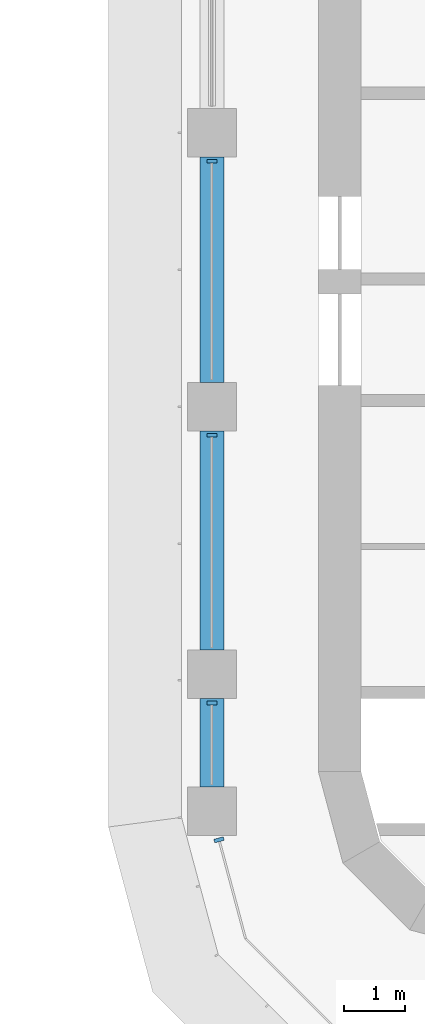
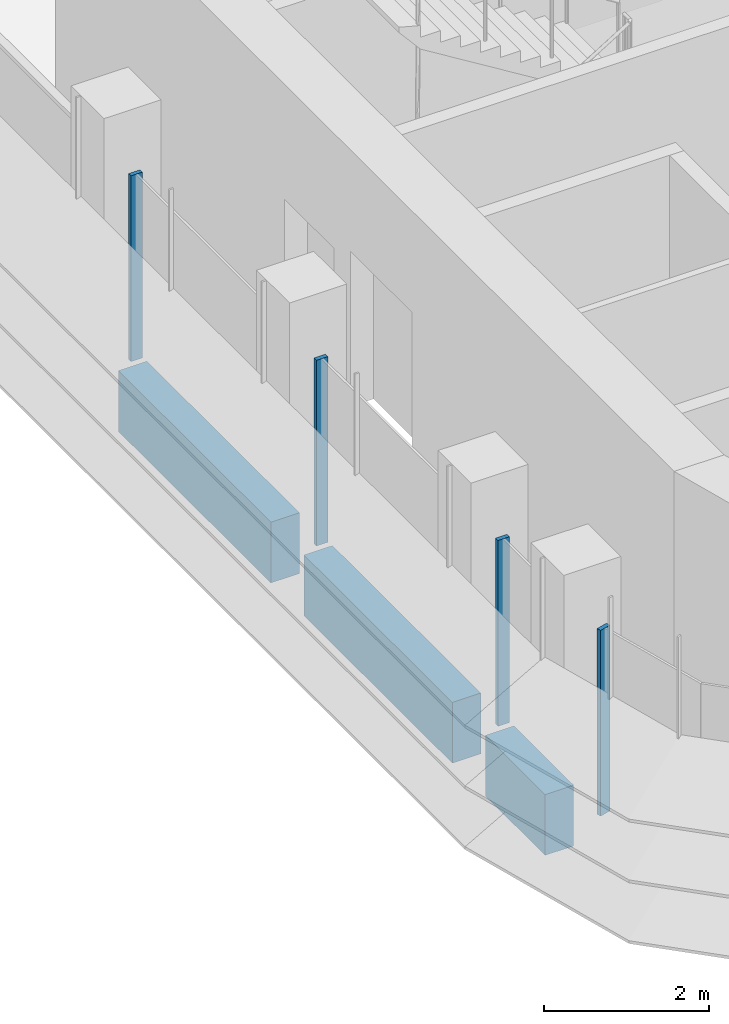
# One storey, part 2 of 19: 4 members, 3 beams, 2 elements without a shape of their own.
"""IFC4 building model written with IfcOpenShell, lengths in metres."""

import ifcopenshell
import ifcopenshell.guid

model = None  # the IFC model being written
_history = None  # IfcOwnerHistory: only IFC2X3 demands one
_inside = {}  # id of a spatial element -> (the spatial element, [elements in it])
_under = {}  # id of a project, library or spatial element -> (it, [spatial elements below it])
_declared = {}  # id of a project -> (the project, [libraries it declares])
_typed = {}  # id of a type object -> (the type object, [elements of that type])
_made_of = {}  # id of a material, layer set ... -> (it, [elements and type objects made of it])


def new_model(schema):
    """Start an empty IFC model of exactly this schema.

    Asked for "IFC4X3", IfcOpenShell would pick the latest addendum, in which some entities
    have other attributes; the version numbers below select the first issue.
    IFC2X3 requires an IfcOwnerHistory on every rooted entity: one is made here for all.
    """
    global model, _history
    if schema == "IFC4X3":
        model = ifcopenshell.file(schema_version=(4, 3, 0, 0))
    else:
        model = ifcopenshell.file(schema=schema)
    _inside.clear()
    _under.clear()
    _declared.clear()
    _typed.clear()
    _made_of.clear()
    _history = None
    if model.schema == "IFC2X3":
        org = make("IfcOrganization", Name="unknown")
        user = make(
            "IfcPersonAndOrganization",
            ThePerson=make("IfcPerson", FamilyName="unknown"),
            TheOrganization=org,
        )
        app = make(
            "IfcApplication",
            ApplicationDeveloper=org,
            Version="unknown",
            ApplicationFullName="unknown",
            ApplicationIdentifier="unknown",
        )
        _history = make(
            "IfcOwnerHistory",
            OwningUser=user,
            OwningApplication=app,
            ChangeAction="ADDED",
            CreationDate=0,
        )
    return model


def make(cls, **values):
    """One entity of the class cls with the attributes given. An attribute that is None is left unset."""
    return model.create_entity(
        cls, **{name: value for name, value in values.items() if value is not None}
    )


def rooted(cls, **values):
    """An entity with a GlobalId (a new one), such as an element, a storey or a relation."""
    return make(cls, GlobalId=ifcopenshell.guid.new(), OwnerHistory=_history, **values)


def si_unit(unit_type, name, prefix=None):
    """IfcSIUnit, for example si_unit("LENGTHUNIT", "METRE", prefix="MILLI")."""
    return make("IfcSIUnit", UnitType=unit_type, Prefix=prefix, Name=name)


def assignment(units):
    """IfcUnitAssignment: the units of a project."""
    return None if units is None else make("IfcUnitAssignment", Units=units)


def point(xyz):
    """IfcCartesianPoint."""
    return None if xyz is None else make("IfcCartesianPoint", Coordinates=xyz)


def direction(xyz):
    """IfcDirection."""
    return None if xyz is None else make("IfcDirection", DirectionRatios=xyz)


def frame(location, z_axis=None, x_axis=None):
    """IfcAxis2Placement3D, a coordinate frame: its origin and axes. An axis left out is left unset."""
    return make(
        "IfcAxis2Placement3D",
        Location=point(location),
        Axis=direction(z_axis),
        RefDirection=direction(x_axis),
    )


def frame_2d(location, x_axis=None):
    """IfcAxis2Placement2D, a coordinate frame in the plane: its origin and x axis."""
    return make(
        "IfcAxis2Placement2D", Location=point(location), RefDirection=direction(x_axis)
    )


def origin():
    """The frame at (0, 0, 0) with its axes left unset."""
    return frame((0.0, 0.0, 0.0))


def origin_2d():
    """The frame at (0, 0) in the plane with its x axis left unset."""
    return frame_2d((0.0, 0.0))


def place(relative_to, where):
    """IfcLocalPlacement: puts the frame where relative to a parent placement (None: the world)."""
    return make(
        "IfcLocalPlacement", PlacementRelTo=relative_to, RelativePlacement=where
    )


def context(
    kind, dimensions, precision=None, world=None, true_north=None, identifier=None
):
    """IfcGeometricRepresentationContext, for example the 3D "Model" context."""
    return make(
        "IfcGeometricRepresentationContext",
        ContextIdentifier=identifier,
        ContextType=kind,
        CoordinateSpaceDimension=dimensions,
        Precision=precision,
        WorldCoordinateSystem=world,
        TrueNorth=true_north,
    )


def subcontext(parent, identifier, kind, view, scale=None):
    """IfcGeometricRepresentationSubContext, for example "Body" below "Model"."""
    return make(
        "IfcGeometricRepresentationSubContext",
        ContextIdentifier=identifier,
        ContextType=kind,
        ParentContext=parent,
        TargetScale=scale,
        TargetView=view,
    )


def project(units=None, contexts=None):
    """IfcProject with its units and contexts."""
    return rooted(
        "IfcProject",
        Name="project",
        RepresentationContexts=contexts,
        UnitsInContext=assignment(units),
    )


def spatial(cls, under=None, at=None, **own):
    """A site, building, storey or space (cls), placed at a placement, below another one or the project."""
    s = rooted(cls, ObjectPlacement=at, **own)
    if under is not None:
        _under.setdefault(under.id(), (under, []))[1].append(s)
    return s


def polyline(points):
    """IfcPolyline through the points."""
    return make("IfcPolyline", Points=[point(p) for p in points])


def profile(cls, at=None, kind="AREA", **sizes):
    """A parametric profile (cls). Its sizes go by their IFC names, for example OverallWidth=200.0."""
    return make(cls, ProfileType=kind, Position=at, **sizes)


def rectangle(**sizes):
    """IfcRectangleProfileDef."""
    return profile("IfcRectangleProfileDef", **sizes)


def outline(outer, holes=None, kind="AREA"):
    """IfcArbitraryClosedProfileDef: a profile drawn as a closed curve; with holes, ...WithVoids."""
    if holes is None:
        return make("IfcArbitraryClosedProfileDef", ProfileType=kind, OuterCurve=outer)
    return make(
        "IfcArbitraryProfileDefWithVoids",
        ProfileType=kind,
        OuterCurve=outer,
        InnerCurves=holes,
    )


def extrude(swept, where, along, depth):
    """IfcExtrudedAreaSolid: the profile swept, set in the frame where, extruded along a direction by depth."""
    return make(
        "IfcExtrudedAreaSolid",
        SweptArea=swept,
        Position=where,
        ExtrudedDirection=direction(along),
        Depth=depth,
    )


def shape(context_of_items, identifier, shape_type, items):
    """IfcShapeRepresentation: the items that make up one representation, for example the "Body"."""
    return make(
        "IfcShapeRepresentation",
        ContextOfItems=context_of_items,
        RepresentationIdentifier=identifier,
        RepresentationType=shape_type,
        Items=items,
    )


def source(mapping_origin, context_of_items, identifier, shape_type, items):
    """IfcRepresentationMap: a shape defined once, which mapped items show again and again."""
    return make(
        "IfcRepresentationMap",
        MappingOrigin=mapping_origin,
        MappedRepresentation=shape(context_of_items, identifier, shape_type, items),
    )


def transform(
    local_origin,
    x_axis=None,
    y_axis=None,
    z_axis=None,
    scale=None,
    scale2=None,
    scale3=None,
    uniform=True,
):
    """IfcCartesianTransformationOperator3D, or its non-uniform kind. x_axis, y_axis, z_axis: its Axis1, 2, 3."""
    if uniform:
        return make(
            "IfcCartesianTransformationOperator3D",
            Axis1=direction(x_axis),
            Axis2=direction(y_axis),
            LocalOrigin=point(local_origin),
            Scale=scale,
            Axis3=direction(z_axis),
        )
    return make(
        "IfcCartesianTransformationOperator3DnonUniform",
        Axis1=direction(x_axis),
        Axis2=direction(y_axis),
        LocalOrigin=point(local_origin),
        Scale=scale,
        Axis3=direction(z_axis),
        Scale2=scale2,
        Scale3=scale3,
    )


def mapped(mapping_source, mapping_target):
    """IfcMappedItem: shows the shape of a source again, moved by a transform."""
    return make(
        "IfcMappedItem", MappingSource=mapping_source, MappingTarget=mapping_target
    )


def material(Name=None, Category=None):
    """IfcMaterial."""
    return make("IfcMaterial", Name=Name, Category=Category)


def material_profile(
    of_material, cross_section, Name=None, Category=None, Priority=None
):
    """IfcMaterialProfile: a cross section and its material."""
    return make(
        "IfcMaterialProfile",
        Name=Name,
        Material=of_material,
        Profile=cross_section,
        Priority=Priority,
        Category=Category,
    )


def profile_set(profiles, Name=None, composite=None):
    """IfcMaterialProfileSet."""
    return make(
        "IfcMaterialProfileSet",
        Name=Name,
        MaterialProfiles=profiles,
        CompositeProfile=composite,
    )


def made_of(thing, what):
    """Note that an element or type object is made of a material, layer set ...; save() writes the relation."""
    if what is not None:
        _made_of.setdefault(what.id(), (what, []))[1].append(thing)
    return thing


def type_object(cls, material=None, **own):
    """A type object (cls), such as IfcWallType, which elements share."""
    return made_of(rooted(cls, **own), material)


def element(
    cls,
    number,
    at=None,
    inside=None,
    cuts=None,
    type_object=None,
    material=None,
    context=None,
    identifier="Body",
    shape_type=None,
    held_by="IfcProductDefinitionShape",
    body=None,
    shapes=None,
    **own,
):
    """One element of the class cls, such as IfcWall. Its Tag is "e" and its number.

    at: its placement. inside: the storey or other place that contains it. cuts: it is an
    opening in that element (IfcRelVoidsElement). A single representation is given by context,
    identifier, shape_type and body (its items); several are given by shapes. held_by: the class
    of the entity that holds the representations. save() writes the other relations.
    """
    e = rooted(cls, Tag="e%d" % number, ObjectPlacement=at, **own)
    if body is not None:
        shapes = [shape(context, identifier, shape_type, body)]
    if shapes is not None:
        e.Representation = make(held_by, Representations=shapes)
    if inside is not None:
        _inside.setdefault(inside.id(), (inside, []))[1].append(e)
    if cuts is not None:
        rooted(
            "IfcRelVoidsElement", RelatingBuildingElement=cuts, RelatedOpeningElement=e
        )
    if type_object is not None:
        _typed.setdefault(type_object.id(), (type_object, []))[1].append(e)
    return made_of(e, material)


def aggregate(whole, parts):
    """IfcRelAggregates: a whole, such as a stair, and the parts it consists of."""
    return rooted("IfcRelAggregates", RelatingObject=whole, RelatedObjects=parts)


def save(model, path):
    """Write the relations noted so far, then the file.

    IfcRelAggregates (storeys below a building ...), IfcRelContainedInSpatialStructure (elements
    in a storey), IfcRelDefinesByType, IfcRelAssociatesMaterial and IfcRelDeclares: one each for
    every whole, place, type object, material and project.
    """
    for whole, parts in _under.values():
        aggregate(whole, parts)
    for where, things in _inside.values():
        rooted(
            "IfcRelContainedInSpatialStructure",
            RelatedElements=things,
            RelatingStructure=where,
        )
    for kind, things in _typed.values():
        rooted("IfcRelDefinesByType", RelatedObjects=things, RelatingType=kind)
    for what, things in _made_of.values():
        rooted("IfcRelAssociatesMaterial", RelatedObjects=things, RelatingMaterial=what)
    for by, libraries in _declared.values():
        rooted("IfcRelDeclares", RelatingContext=by, RelatedDefinitions=libraries)
    model.write(path)


model = new_model("IFC4")

# Units and contexts
model_context = context("Model", 3, precision=1e-05, world=origin(), true_north=direction((0.0, 1.0)))
body_context = subcontext(model_context, "Body", "Model", "MODEL_VIEW")
ifc_project = project(units=[si_unit("LENGTHUNIT", "METRE"), si_unit("AREAUNIT", "SQUARE_METRE"), si_unit("VOLUMEUNIT", "CUBIC_METRE"), si_unit("PLANEANGLEUNIT", "RADIAN"), si_unit("MASSUNIT", "GRAM", prefix="KILO")], contexts=[model_context])

# Site, building, storey
site_placement = place(None, origin())
site = spatial("IfcSite", under=ifc_project, at=site_placement, CompositionType="ELEMENT")
building_placement = place(site_placement, origin())
building = spatial("IfcBuilding", under=site, at=building_placement, Name="Zarbagh Exchange Tower", CompositionType="ELEMENT")
storey_placement = place(building_placement, frame((0.0, 0.0, 160.0)))
storey = spatial("IfcBuildingStorey", under=building, at=storey_placement, Name="L38", CompositionType="ELEMENT", Elevation=160.0)

# Beams
ifc_material_1 = material(Name="Concrete C50/60", Category="concrete")
ifc_material_profile = material_profile(ifc_material_1, rectangle(XDim=0.39990234375, YDim=0.89990234375, at=origin_2d()), Name="RC spandrel beam 400 x 900 C50/60")
ifc_profile_set = profile_set([ifc_material_profile], Name="Concrete C50/60")
beam_type = type_object("IfcBeamType", Name="RC spandrel beam 400 x 900 C50/60", PredefinedType="SPANDREL", material=ifc_profile_set)
beam_1_placement = place(storey_placement, frame((-6.25, -26.5, -0.60009765625), z_axis=(0.0, 1.0, 0.0), x_axis=(-1.0, 0.0, 0.0)))
element("IfcBeam", 1, at=beam_1_placement, inside=storey, type_object=beam_type, Name="RC spandrel beam", PredefinedType="SPANDREL", context=body_context, shape_type="SweptSolid", body=[
    extrude(rectangle(XDim=0.39990234375, YDim=0.89990234375, at=origin_2d()), origin(), (0.0, 0.0, 1.0), 1.449951171875),
])
beam_2_placement = place(storey_placement, frame((-6.25, -24.25, -0.60009765625), z_axis=(0.0, 1.0, 0.0), x_axis=(-1.0, 0.0, 0.0)))
element("IfcBeam", 2, at=beam_2_placement, inside=storey, type_object=beam_type, Name="RC spandrel beam", PredefinedType="SPANDREL", context=body_context, shape_type="SweptSolid", body=[
    extrude(rectangle(XDim=0.39990234375, YDim=0.89990234375, at=origin_2d()), origin(), (0.0, 0.0, 1.0), 3.60009765625),
])
beam_3_placement = place(storey_placement, frame((-6.25, -19.85009765625, -0.60009765625), z_axis=(0.0, 1.0, 0.0), x_axis=(-1.0, 0.0, 0.0)))
element("IfcBeam", 3, at=beam_3_placement, inside=storey, type_object=beam_type, Name="RC spandrel beam", PredefinedType="SPANDREL", context=body_context, shape_type="SweptSolid", body=[
    extrude(rectangle(XDim=0.39990234375, YDim=0.89990234375, at=origin_2d()), origin(), (0.0, 0.0, 1.0), 3.7001953125),
])

# Curtain wall, members
ifc_material_2 = material(Name="Anodised aluminium frame and glazing", Category="aluminium")
curtain_wall_type = type_object("IfcCurtainWallType", Name="CWB Ribbon glazing, upper zones", PredefinedType="NOTDEFINED", material=ifc_material_2)
curtain_wall_1_placement = place(storey_placement, origin())
curtain_wall_1 = element("IfcCurtainWall", 4, at=curtain_wall_1_placement, inside=storey, type_object=curtain_wall_type, Name="CWB53 curtain wall", PredefinedType="NOTDEFINED")
ifc_material_3 = material(Name="Anodised aluminium frame", Category="aluminium")
member_type = type_object("IfcMemberType", Name="MUB Mullion, anodised aluminium frame", PredefinedType="MULLION", material=ifc_material_3)
shared_shape = source(origin(), body_context, "Body", "SweptSolid", [
    extrude(outline(polyline([(0.0, -0.080078125), (0.06005859375, -0.080078125), (0.06005859375, 0.080078125), (0.0, 0.080078125), (0.0, -0.080078125)])), origin(), (0.0, 0.0, 1.0), 2.75),
])
placement = place(storey_placement, origin())
member_1 = element("IfcMember", 5, at=placement, type_object=member_type, Name="CWB53 mullion 2.1", PredefinedType="MULLION", context=body_context, shape_type="MappedRepresentation", body=[
    mapped(shared_shape, transform((-6.25, -16.18994140625, 0.0), x_axis=(0.0, -1.0, 0.0), y_axis=(1.0, 0.0, 0.0), z_axis=(0.0, 0.0, 1.0))),
])
member_2 = element("IfcMember", 6, at=placement, type_object=member_type, Name="CWB53 mullion 3.1", PredefinedType="MULLION", context=body_context, shape_type="MappedRepresentation", body=[
    mapped(shared_shape, transform((-6.25, -20.68994140625, 0.0), x_axis=(0.0, -1.0, 0.0), y_axis=(1.0, 0.0, 0.0), z_axis=(0.0, 0.0, 1.0))),
])
member_3 = element("IfcMember", 7, at=placement, type_object=member_type, Name="CWB53 mullion 4.1", PredefinedType="MULLION", context=body_context, shape_type="MappedRepresentation", body=[
    mapped(shared_shape, transform((-6.25, -25.090087890625, 0.0), x_axis=(0.0, -1.0, 0.0), y_axis=(1.0, 0.0, 0.0), z_axis=(0.0, 0.0, 1.0))),
])
aggregate(curtain_wall_1, [member_1, member_2, member_3])

# Curtain wall, member
curtain_wall_2_placement = place(storey_placement, origin())
curtain_wall_2 = element("IfcCurtainWall", 8, at=curtain_wall_2_placement, inside=storey, type_object=curtain_wall_type, Name="CWB54 curtain wall", PredefinedType="NOTDEFINED")
member_4 = element("IfcMember", 9, at=placement, type_object=member_type, Name="CWB54 mullion 1.1", PredefinedType="MULLION", context=body_context, shape_type="MappedRepresentation", body=[
    mapped(shared_shape, transform((-6.141357421875, -27.33984375, 0.0), x_axis=(0.258824779902, -0.965924289636, 0.0), y_axis=(0.965924289636, 0.258824779902, 0.0), z_axis=(0.0, 0.0, 1.0))),
])
aggregate(curtain_wall_2, [member_4])

save(model, "model.ifc")
